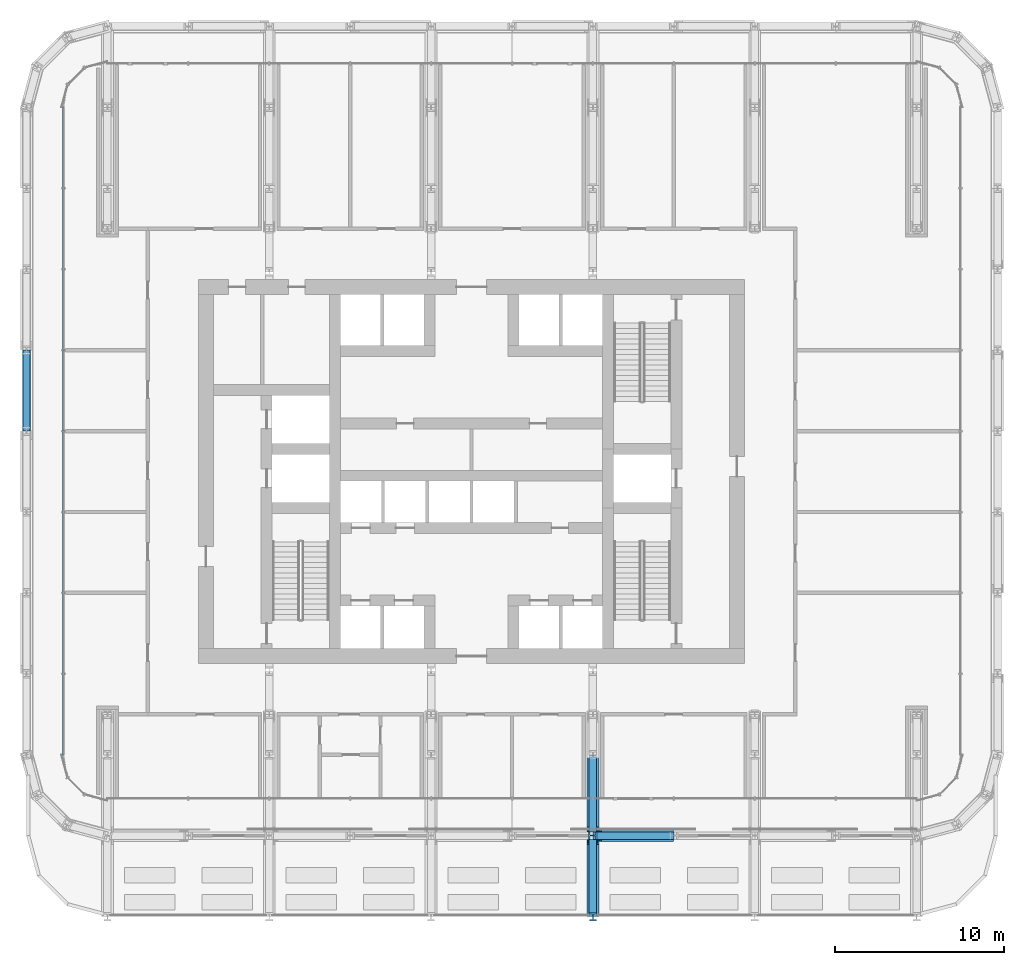
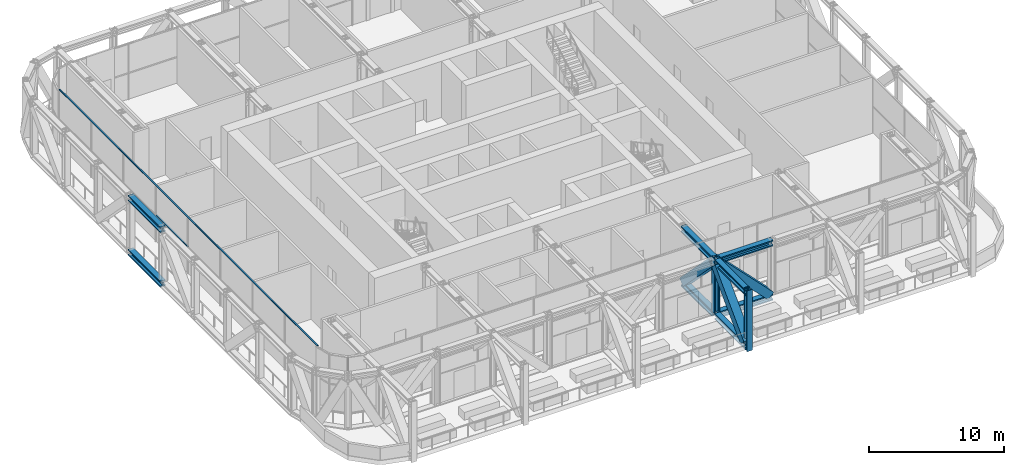
# One storey, part 4 of 23: 15 members, 1 element without a shape of its own.
"""IFC4 building model written with IfcOpenShell, lengths in metres."""

from ifc_helpers import new_model, si_unit, direction, frame, origin, origin_2d, place, context, subcontext, project, spatial, rectangle, hollow_rectangle, i_section, extrude, material, layer, layer_set, material_profile, profile_set, type_object, element, aggregate, save


model = new_model("IFC4")

# Units and contexts
model_context = context("Model", 3, precision=1e-05, world=origin(), true_north=direction((0.0, 1.0)))
body_context = subcontext(model_context, "Body", "Model", "MODEL_VIEW")
ifc_project = project(units=[si_unit("LENGTHUNIT", "METRE"), si_unit("AREAUNIT", "SQUARE_METRE"), si_unit("VOLUMEUNIT", "CUBIC_METRE"), si_unit("PLANEANGLEUNIT", "RADIAN"), si_unit("MASSUNIT", "GRAM", prefix="KILO")], contexts=[model_context])

# Site, building, storey
site_placement = place(None, origin())
site = spatial("IfcSite", under=ifc_project, at=site_placement, CompositionType="ELEMENT")
building_placement = place(site_placement, origin())
building = spatial("IfcBuilding", under=site, at=building_placement, Name="Madar Terraces", CompositionType="ELEMENT")
storey_placement = place(building_placement, frame((0.0, 0.0, 83.800048828125)))
storey = spatial("IfcBuildingStorey", under=building, at=storey_placement, Name="L21", CompositionType="ELEMENT", Elevation=83.800048828125)

# Members
ifc_material_1 = material(Name="Steel ASTM A913 Grade 65", Category="steel")
ifc_material_profile_1 = material_profile(ifc_material_1, i_section(OverallWidth=0.449462890625, OverallDepth=0.548583984375, WebThickness=0.07177734375, FlangeThickness=0.11474609375, at=origin_2d()), Name="W14x665")
ifc_profile_set_1 = profile_set([ifc_material_profile_1], Name="Steel ASTM A913 Grade 65")
member_type_1 = type_object("IfcMemberType", Name="BC3 W14x665", PredefinedType="CHORD", material=ifc_profile_set_1)
for number, where, z_axis, x_axis, name in (
    (1, (38.39990234375, 4.800048828125, -0.145751953125), (1.0, 0.0, 0.0), (0.0, 1.0, 0.0), "Exoskeleton truss ring bottom chord BC3"),
    (2, (4.800048828125, 33.60009765625, -0.145751953125), (0.0, -1.0, 0.0), (1.0, 0.0, 0.0), "Exoskeleton truss ring bottom chord BC3"),
):
    element("IfcMember", number, at=place(storey_placement, frame(where, z_axis=z_axis, x_axis=x_axis)), inside=storey, type_object=member_type_1, Name=name, PredefinedType="CHORD", context=body_context, shape_type="SweptSolid", body=[
        extrude(i_section(OverallWidth=0.449462890625, OverallDepth=0.548583984375, WebThickness=0.07177734375, FlangeThickness=0.11474609375, at=origin_2d()), origin(), (0.0, 0.0, 1.0), 4.800048828125),
    ])
for number, where, z_axis, x_axis, name in (
    (3, (38.39990234375, 0.0, -0.145751953125), (0.0, 1.0, 0.0), (-1.0, 0.0, 0.0), "Exoskeleton truss cross S38.4 bottom chord BC3"),
    (4, (38.39990234375, 5.02490234375, -0.145751953125), (0.0, 1.0, 0.0), (-1.0, 0.0, 0.0), "Exoskeleton truss cross S38.4 bottom chord BC3"),
):
    element("IfcMember", number, at=place(storey_placement, frame(where, z_axis=z_axis, x_axis=x_axis)), inside=storey, type_object=member_type_1, Name=name, PredefinedType="CHORD", context=body_context, shape_type="SweptSolid", body=[
        extrude(i_section(OverallWidth=0.449462890625, OverallDepth=0.548583984375, WebThickness=0.07177734375, FlangeThickness=0.11474609375, at=origin_2d()), origin(), (0.0, 0.0, 1.0), 4.5751953125),
    ])

# Curtain wall, members
ifc_material_2 = material(Name="Glass, ceramic frit dark grey, with black aluminium frame", Category="aluminium")
ifc_layer = layer(ifc_material_2, 0.199951171875)
ifc_layer_set = layer_set([ifc_layer], Name="Facade curtain wall, tall glazing")
curtain_wall_type = type_object("IfcCurtainWallType", Name="Facade curtain wall, tall glazing", PredefinedType="NOTDEFINED", material=ifc_layer_set)
curtain_wall_placement = place(storey_placement, origin())
curtain_wall = element("IfcCurtainWall", 5, at=curtain_wall_placement, inside=storey, type_object=curtain_wall_type, Name="Outer skin curtain wall west bay 1", PredefinedType="NOTDEFINED")
ifc_material_3 = material(Name="Aluminium, black anodised", Category="aluminium")
ifc_material_profile_2 = material_profile(ifc_material_3, rectangle(XDim=0.1201171875, YDim=0.06005859375, at=origin_2d()), Name="Facade transom 60x120")
ifc_profile_set_2 = profile_set([ifc_material_profile_2], Name="Aluminium, black anodised")
member_type_2 = type_object("IfcMemberType", Name="Facade transom 60x120", PredefinedType="USERDEFINED", material=ifc_profile_set_2)
member_1_placement = place(storey_placement, frame((7.0, 48.0, 5.070068359375), z_axis=(0.0, -1.0, 0.0), x_axis=(1.0, 0.0, 0.0)))
member_1 = element("IfcMember", 6, at=member_1_placement, type_object=member_type_2, Name="Transom 1", ObjectType="TRANSOM", PredefinedType="USERDEFINED", context=body_context, shape_type="SweptSolid", body=[
    extrude(rectangle(XDim=0.1201171875, YDim=0.06005859375, at=origin_2d()), origin(), (0.0, 0.0, 1.0), 38.39990234375),
])
member_2_placement = place(storey_placement, frame((7.0, 33.570068359375, 2.39990234375), z_axis=(0.0, -1.0, 0.0), x_axis=(1.0, 0.0, 0.0)))
member_2 = element("IfcMember", 7, at=member_2_placement, type_object=member_type_2, Name="Transom 5", ObjectType="TRANSOM", PredefinedType="USERDEFINED", context=body_context, shape_type="SweptSolid", body=[
    extrude(rectangle(XDim=0.1201171875, YDim=0.06005859375, at=origin_2d()), origin(), (0.0, 0.0, 1.0), 4.739990234375),
])
aggregate(curtain_wall, [member_1, member_2])

# Members
ifc_material_4 = material(Name="Steel ASTM A913 Grade 65", Category="steel")
ifc_material_profile_3 = material_profile(ifc_material_4, i_section(OverallWidth=0.44189453125, OverallDepth=0.53076171875, WebThickness=0.06591796875, FlangeThickness=0.105712890625, at=origin_2d()), Name="W14x605")
ifc_profile_set_3 = profile_set([ifc_material_profile_3], Name="Steel ASTM A913 Grade 65")
member_type_3 = type_object("IfcMemberType", Name="TC3 W14x605", PredefinedType="CHORD", material=ifc_profile_set_3)
for number, where, z_axis, x_axis, name in (
    (8, (38.39990234375, 4.800048828125, 4.764404296875), (1.0, 0.0, 0.0), (0.0, 1.0, 0.0), "Exoskeleton truss ring top chord TC3"),
    (9, (4.800048828125, 33.60009765625, 4.764404296875), (0.0, -1.0, 0.0), (1.0, 0.0, 0.0), "Exoskeleton truss ring top chord TC3"),
):
    element("IfcMember", number, at=place(storey_placement, frame(where, z_axis=z_axis, x_axis=x_axis)), inside=storey, type_object=member_type_3, Name=name, PredefinedType="CHORD", context=body_context, shape_type="SweptSolid", body=[
        extrude(i_section(OverallWidth=0.44189453125, OverallDepth=0.53076171875, WebThickness=0.06591796875, FlangeThickness=0.105712890625, at=origin_2d()), origin(), (0.0, 0.0, 1.0), 4.800048828125),
    ])
for number, where, z_axis, x_axis, name in (
    (10, (38.39990234375, 0.0, 4.764404296875), (0.0, 1.0, 0.0), (-1.0, 0.0, 0.0), "Exoskeleton truss cross S38.4 top chord TC3"),
    (11, (38.39990234375, 5.02099609375, 4.764404296875), (0.0, 1.0, 0.0), (-1.0, 0.0, 0.0), "Exoskeleton truss cross S38.4 top chord TC3"),
):
    element("IfcMember", number, at=place(storey_placement, frame(where, z_axis=z_axis, x_axis=x_axis)), inside=storey, type_object=member_type_3, Name=name, PredefinedType="CHORD", context=body_context, shape_type="SweptSolid", body=[
        extrude(i_section(OverallWidth=0.44189453125, OverallDepth=0.53076171875, WebThickness=0.06591796875, FlangeThickness=0.105712890625, at=origin_2d()), origin(), (0.0, 0.0, 1.0), 4.5791015625),
    ])
ifc_material_5 = material(Name="Steel ASTM A572 Grade 50", Category="steel")
ifc_material_profile_4 = material_profile(ifc_material_5, hollow_rectangle(XDim=0.699951171875, YDim=0.699951171875, WallThickness=0.070068359375, at=origin_2d()), Name="BOX700x700x70")
ifc_profile_set_4 = profile_set([ifc_material_profile_4], Name="Steel ASTM A572 Grade 50")
member_type_4 = type_object("IfcMemberType", Name="TD3 BOX700x700x70", PredefinedType="BRACE", material=ifc_profile_set_4)
for number, where, z_axis, x_axis, name in (
    (12, (38.659423828125, 4.800048828125, 4.4990234375), (0.699052279579, 0.0, -0.715070563242), (0.0, 1.0, 0.0), "Exoskeleton truss ring diagonal TD3"),
    (13, (38.39990234375, 0.26806640625, 0.128662109375), (0.0, 0.699052279579, 0.715070563242), (-1.0, 0.0, 0.0), "Exoskeleton truss cross S38.4 diagonal TD3"),
):
    element("IfcMember", number, at=place(storey_placement, frame(where, z_axis=z_axis, x_axis=x_axis)), inside=storey, type_object=member_type_4, Name=name, PredefinedType="BRACE", context=body_context, shape_type="SweptSolid", body=[
        extrude(hollow_rectangle(XDim=0.699951171875, YDim=0.699951171875, WallThickness=0.070068359375, at=origin_2d()), origin(), (0.0, 0.0, 1.0), 6.11181640625),
    ])
member_3_placement = place(storey_placement, frame((38.39990234375, 5.0595703125, 4.4990234375), z_axis=(0.0, 0.699031853378, -0.715090531306), x_axis=(-1.0, 0.0, 0.0)))
element("IfcMember", 14, at=member_3_placement, inside=storey, type_object=member_type_4, Name="Exoskeleton truss cross S38.4 diagonal TD3", PredefinedType="BRACE", context=body_context, shape_type="SweptSolid", body=[
    extrude(hollow_rectangle(XDim=0.699951171875, YDim=0.699951171875, WallThickness=0.070068359375, at=origin_2d()), origin(), (0.0, 0.0, 1.0), 6.111572265625),
])
ifc_material_6 = material(Name="Steel ASTM A913 Grade 65", Category="steel")
ifc_material_profile_5 = material_profile(ifc_material_6, i_section(OverallWidth=0.431884765625, OverallDepth=0.497802734375, WebThickness=0.0556640625, FlangeThickness=0.0888671875, at=origin_2d()), Name="W14x500")
ifc_profile_set_5 = profile_set([ifc_material_profile_5], Name="Steel ASTM A913 Grade 65")
member_type_5 = type_object("IfcMemberType", Name="TV3 W14x500", PredefinedType="POST", material=ifc_profile_set_5)
member_4_placement = place(storey_placement, frame((38.39990234375, 4.800048828125, 0.128662109375), z_axis=(0.0, 0.0, 1.0), x_axis=(0.0, 1.0, 0.0)))
element("IfcMember", 15, at=member_4_placement, inside=storey, type_object=member_type_5, Name="Exoskeleton truss ring post TV3", PredefinedType="POST", context=body_context, shape_type="SweptSolid", body=[
    extrude(i_section(OverallWidth=0.431884765625, OverallDepth=0.497802734375, WebThickness=0.0556640625, FlangeThickness=0.0888671875, at=origin_2d()), origin(), (0.0, 0.0, 1.0), 4.97119140625),
])
member_5_placement = place(storey_placement, frame((38.39990234375, 0.0, -0.420166015625), z_axis=(0.0, 0.0, 1.0), x_axis=(-1.0, 0.0, 0.0)))
element("IfcMember", 16, at=member_5_placement, inside=storey, type_object=member_type_5, Name="Exoskeleton truss cross S38.4 post TV3", PredefinedType="POST", context=body_context, shape_type="SweptSolid", body=[
    extrude(i_section(OverallWidth=0.431884765625, OverallDepth=0.497802734375, WebThickness=0.0556640625, FlangeThickness=0.0888671875, at=origin_2d()), origin(), (0.0, 0.0, 1.0), 5.52001953125),
])

save(model, "model.ifc")
